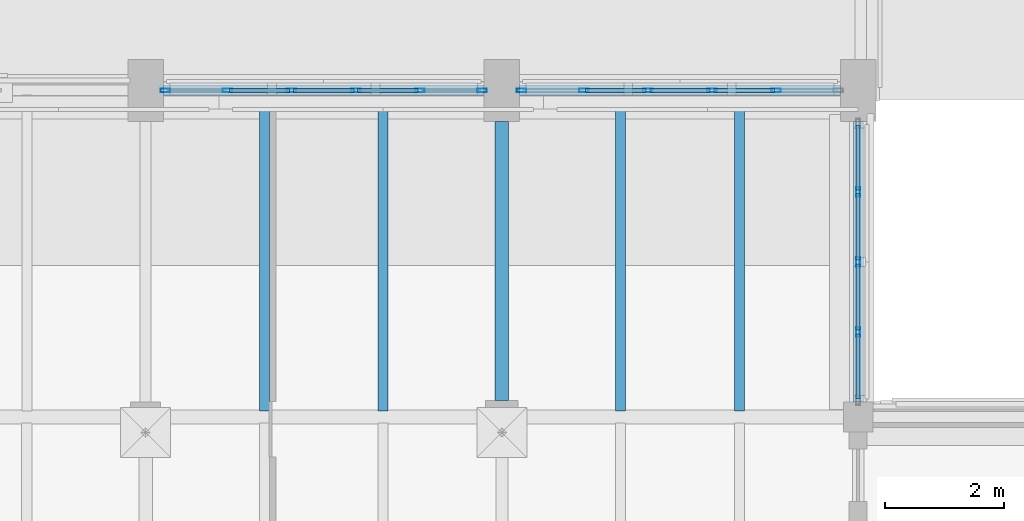
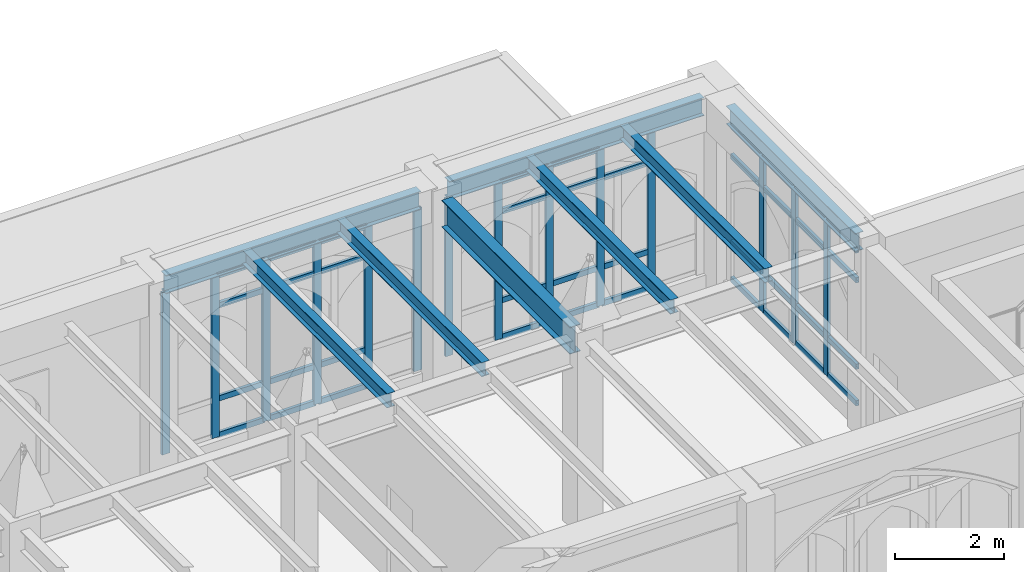
# One storey, part 67 of 143: 53 members, 8 beams, 3 elements without a shape of their own.
"""IFC4 building model written with IfcOpenShell, lengths in metres."""

from ifc_helpers import new_model, si_unit, direction, frame, origin, origin_2d, place, context, subcontext, project, spatial, hollow_rectangle, i_section, extrude, material, layer, layer_set, material_profile, profile_set, type_object, element, aggregate, save


model = new_model("IFC4")

# Units and contexts
model_context = context("Model", 3, precision=1e-05, world=origin(), true_north=direction((0.0, 1.0)))
body_context = subcontext(model_context, "Body", "Model", "MODEL_VIEW")
ifc_project = project(units=[si_unit("LENGTHUNIT", "METRE"), si_unit("AREAUNIT", "SQUARE_METRE"), si_unit("VOLUMEUNIT", "CUBIC_METRE"), si_unit("PLANEANGLEUNIT", "RADIAN"), si_unit("MASSUNIT", "GRAM", prefix="KILO")], contexts=[model_context])

# Site, building, storey
site_placement = place(None, origin())
site = spatial("IfcSite", under=ifc_project, at=site_placement, CompositionType="ELEMENT")
building_placement = place(site_placement, origin())
building = spatial("IfcBuilding", under=site, at=building_placement, Name="Cumevento Cable Car Station", CompositionType="ELEMENT")
storey_placement = place(building_placement, frame((0.0, 0.0, 9.0)))
storey = spatial("IfcBuildingStorey", under=building, at=storey_placement, Name="L03", CompositionType="ELEMENT", Elevation=9.0)

# Curtain wall, members
ifc_material_1 = material(Name="Anodised Bronze Aluminium AW-6063-T6", Category="aluminium")
ifc_layer_1 = layer(ifc_material_1, 0.166015625)
ifc_layer_set_1 = layer_set([ifc_layer_1], Name="Anodised Bronze Aluminium AW-6063-T6")
curtain_wall_type_1 = type_object("IfcCurtainWallType", Name="Lancet Curtain Wall CW-02 1090", PredefinedType="NOTDEFINED", material=ifc_layer_set_1)
curtain_wall_1_placement = place(storey_placement, origin())
curtain_wall_1 = element("IfcCurtainWall", 1, at=curtain_wall_1_placement, inside=storey, type_object=curtain_wall_type_1, Name="Lancet Curtain Wall CW-02 L03 #113", PredefinedType="NOTDEFINED")
ifc_material_2 = material(Name="Anodised Bronze Aluminium AW-6063-T6", Category="aluminium")
ifc_material_profile_1 = material_profile(ifc_material_2, hollow_rectangle(XDim=0.06494140625, YDim=0.159912109375, WallThickness=0.00390625, at=origin_2d()), Name="ALUM65x160x4")
ifc_profile_set_1 = profile_set([ifc_material_profile_1], Name="Anodised Bronze Aluminium AW-6063-T6")
member_type_1 = type_object("IfcMemberType", Name="Curtain Mullion CWM-01 ALUM65x160x4", PredefinedType="MULLION", material=ifc_profile_set_1)
member_1_placement = place(storey_placement, frame((106.33251953125, 56.5, 0.2099609375), z_axis=(0.0, 0.0, 1.0), x_axis=(0.0, 1.0, 0.0)))
member_1 = element("IfcMember", 2, at=member_1_placement, type_object=member_type_1, Name="CW-02 mullion 1", PredefinedType="MULLION", context=body_context, shape_type="SweptSolid", body=[
    extrude(hollow_rectangle(XDim=0.06494140625, YDim=0.159912109375, WallThickness=0.00390625, at=origin_2d()), origin(), (0.0, 0.0, 1.0), 3.635009765625),
])
member_2_placement = place(storey_placement, frame((107.3798828125, 56.5, 0.2099609375), z_axis=(0.0, 0.0, 1.0), x_axis=(0.0, 1.0, 0.0)))
member_2 = element("IfcMember", 3, at=member_2_placement, type_object=member_type_1, Name="CW-02 mullion 2", PredefinedType="MULLION", context=body_context, shape_type="SweptSolid", body=[
    extrude(hollow_rectangle(XDim=0.06494140625, YDim=0.159912109375, WallThickness=0.00390625, at=origin_2d()), origin(), (0.0, 0.0, 1.0), 3.635009765625),
])
member_3_placement = place(storey_placement, frame((108.4599609375, 56.5, 0.2099609375), z_axis=(0.0, 0.0, 1.0), x_axis=(0.0, 1.0, 0.0)))
member_3 = element("IfcMember", 4, at=member_3_placement, type_object=member_type_1, Name="CW-02 mullion 3", PredefinedType="MULLION", context=body_context, shape_type="SweptSolid", body=[
    extrude(hollow_rectangle(XDim=0.06494140625, YDim=0.159912109375, WallThickness=0.00390625, at=origin_2d()), origin(), (0.0, 0.0, 1.0), 3.635009765625),
])
member_4_placement = place(storey_placement, frame((109.5400390625, 56.5, 0.2099609375), z_axis=(0.0, 0.0, 1.0), x_axis=(0.0, 1.0, 0.0)))
member_4 = element("IfcMember", 5, at=member_4_placement, type_object=member_type_1, Name="CW-02 mullion 4", PredefinedType="MULLION", context=body_context, shape_type="SweptSolid", body=[
    extrude(hollow_rectangle(XDim=0.06494140625, YDim=0.159912109375, WallThickness=0.00390625, at=origin_2d()), origin(), (0.0, 0.0, 1.0), 3.635009765625),
])
member_5_placement = place(storey_placement, frame((110.6201171875, 56.5, 0.2099609375), z_axis=(0.0, 0.0, 1.0), x_axis=(0.0, 1.0, 0.0)))
member_5 = element("IfcMember", 6, at=member_5_placement, type_object=member_type_1, Name="CW-02 mullion 5", PredefinedType="MULLION", context=body_context, shape_type="SweptSolid", body=[
    extrude(hollow_rectangle(XDim=0.06494140625, YDim=0.159912109375, WallThickness=0.00390625, at=origin_2d()), origin(), (0.0, 0.0, 1.0), 3.635009765625),
])
member_6_placement = place(storey_placement, frame((111.66748046875, 56.5, 0.2099609375), z_axis=(0.0, 0.0, 1.0), x_axis=(0.0, 1.0, 0.0)))
member_6 = element("IfcMember", 7, at=member_6_placement, type_object=member_type_1, Name="CW-02 mullion 6", PredefinedType="MULLION", context=body_context, shape_type="SweptSolid", body=[
    extrude(hollow_rectangle(XDim=0.06494140625, YDim=0.159912109375, WallThickness=0.00390625, at=origin_2d()), origin(), (0.0, 0.0, 1.0), 3.635009765625),
])

ifc_material_3 = material(Name="Anodised Bronze Aluminium AW-6063-T6", Category="aluminium")
ifc_layer_2 = layer(ifc_material_3, 0.177978515625)
ifc_layer_set_2 = layer_set([ifc_layer_2], Name="Anodised Bronze Aluminium AW-6063-T6")
curtain_wall_type_2 = type_object("IfcCurtainWallType", Name="Lancet Curtain Wall CW-04 1170", PredefinedType="NOTDEFINED", material=ifc_layer_set_2)
curtain_wall_2_placement = place(storey_placement, origin())
curtain_wall_2 = element("IfcCurtainWall", 8, at=curtain_wall_2_placement, inside=storey, type_object=curtain_wall_type_2, Name="Lancet Curtain Wall CW-04 L03 #115", PredefinedType="NOTDEFINED")
member_7_placement = place(storey_placement, frame((112.33251953125, 56.5, 0.31005859375), z_axis=(0.0, 0.0, 1.0), x_axis=(0.0, 1.0, 0.0)))
member_7 = element("IfcMember", 9, at=member_7_placement, type_object=member_type_1, Name="CW-04 mullion 1", PredefinedType="MULLION", context=body_context, shape_type="SweptSolid", body=[
    extrude(hollow_rectangle(XDim=0.06494140625, YDim=0.159912109375, WallThickness=0.00390625, at=origin_2d()), origin(), (0.0, 0.0, 1.0), 3.534912109375),
])
member_8_placement = place(storey_placement, frame((113.3798828125, 56.5, 0.31005859375), z_axis=(0.0, 0.0, 1.0), x_axis=(0.0, 1.0, 0.0)))
member_8 = element("IfcMember", 10, at=member_8_placement, type_object=member_type_1, Name="CW-04 mullion 2", PredefinedType="MULLION", context=body_context, shape_type="SweptSolid", body=[
    extrude(hollow_rectangle(XDim=0.06494140625, YDim=0.159912109375, WallThickness=0.00390625, at=origin_2d()), origin(), (0.0, 0.0, 1.0), 3.534912109375),
])
member_9_placement = place(storey_placement, frame((114.4599609375, 56.5, 0.31005859375), z_axis=(0.0, 0.0, 1.0), x_axis=(0.0, 1.0, 0.0)))
member_9 = element("IfcMember", 11, at=member_9_placement, type_object=member_type_1, Name="CW-04 mullion 3", PredefinedType="MULLION", context=body_context, shape_type="SweptSolid", body=[
    extrude(hollow_rectangle(XDim=0.06494140625, YDim=0.159912109375, WallThickness=0.00390625, at=origin_2d()), origin(), (0.0, 0.0, 1.0), 3.534912109375),
])
member_10_placement = place(storey_placement, frame((115.5400390625, 56.5, 0.31005859375), z_axis=(0.0, 0.0, 1.0), x_axis=(0.0, 1.0, 0.0)))
member_10 = element("IfcMember", 12, at=member_10_placement, type_object=member_type_1, Name="CW-04 mullion 4", PredefinedType="MULLION", context=body_context, shape_type="SweptSolid", body=[
    extrude(hollow_rectangle(XDim=0.06494140625, YDim=0.159912109375, WallThickness=0.00390625, at=origin_2d()), origin(), (0.0, 0.0, 1.0), 3.534912109375),
])
member_11_placement = place(storey_placement, frame((116.6201171875, 56.5, 0.31005859375), z_axis=(0.0, 0.0, 1.0), x_axis=(0.0, 1.0, 0.0)))
member_11 = element("IfcMember", 13, at=member_11_placement, type_object=member_type_1, Name="CW-04 mullion 5", PredefinedType="MULLION", context=body_context, shape_type="SweptSolid", body=[
    extrude(hollow_rectangle(XDim=0.06494140625, YDim=0.159912109375, WallThickness=0.00390625, at=origin_2d()), origin(), (0.0, 0.0, 1.0), 3.534912109375),
])

ifc_material_4 = material(Name="Anodised Bronze Aluminium AW-6063-T6", Category="aluminium")
ifc_layer_3 = layer(ifc_material_4, 0.18408203125)
ifc_layer_set_3 = layer_set([ifc_layer_3], Name="Anodised Bronze Aluminium AW-6063-T6")
curtain_wall_type_3 = type_object("IfcCurtainWallType", Name="Lancet Curtain Wall CW-05 1210", PredefinedType="NOTDEFINED", material=ifc_layer_set_3)
curtain_wall_3_placement = place(storey_placement, origin())
curtain_wall_3 = element("IfcCurtainWall", 14, at=curtain_wall_3_placement, inside=storey, type_object=curtain_wall_type_3, Name="Lancet Curtain Wall CW-05 L03 #116", PredefinedType="NOTDEFINED")
member_12_placement = place(storey_placement, frame((118.0, 54.793701171875, 0.360107421875), z_axis=(0.0, 0.0, 1.0), x_axis=(1.0, 0.0, 0.0)))
member_12 = element("IfcMember", 15, at=member_12_placement, type_object=member_type_1, Name="CW-05 mullion 2", PredefinedType="MULLION", context=body_context, shape_type="SweptSolid", body=[
    extrude(hollow_rectangle(XDim=0.06494140625, YDim=0.159912109375, WallThickness=0.00390625, at=origin_2d()), origin(), (0.0, 0.0, 1.0), 3.48486328125),
])
member_13_placement = place(storey_placement, frame((118.0, 53.612548828125, 0.360107421875), z_axis=(0.0, 0.0, 1.0), x_axis=(1.0, 0.0, 0.0)))
member_13 = element("IfcMember", 16, at=member_13_placement, type_object=member_type_1, Name="CW-05 mullion 3", PredefinedType="MULLION", context=body_context, shape_type="SweptSolid", body=[
    extrude(hollow_rectangle(XDim=0.06494140625, YDim=0.159912109375, WallThickness=0.00390625, at=origin_2d()), origin(), (0.0, 0.0, 1.0), 3.48486328125),
])
member_14_placement = place(storey_placement, frame((118.0, 52.43115234375, 0.360107421875), z_axis=(0.0, 0.0, 1.0), x_axis=(1.0, 0.0, 0.0)))
member_14 = element("IfcMember", 17, at=member_14_placement, type_object=member_type_1, Name="CW-05 mullion 4", PredefinedType="MULLION", context=body_context, shape_type="SweptSolid", body=[
    extrude(hollow_rectangle(XDim=0.06494140625, YDim=0.159912109375, WallThickness=0.00390625, at=origin_2d()), origin(), (0.0, 0.0, 1.0), 3.48486328125),
])

# Member
ifc_material_5 = material(Name="Anodised Bronze Aluminium AW-6063-T6", Category="aluminium")
ifc_material_profile_2 = material_profile(ifc_material_5, hollow_rectangle(XDim=0.06494140625, YDim=0.1201171875, WallThickness=0.00390625, at=origin_2d()), Name="ALUT65x120x4")
ifc_profile_set_2 = profile_set([ifc_material_profile_2], Name="Anodised Bronze Aluminium AW-6063-T6")
member_type_2 = type_object("IfcMemberType", Name="Curtain Transom CWT-01 ALUT65x120x4", PredefinedType="USERDEFINED", material=ifc_profile_set_2)
member_15_placement = place(storey_placement, frame((107.41259765625, 56.5, 0.242431640625), z_axis=(1.0, 0.0, 0.0), x_axis=(0.0, 1.0, 0.0)))
member_15 = element("IfcMember", 18, at=member_15_placement, type_object=member_type_2, Name="CW-02 transom 2.1", ObjectType="TRANSOM", PredefinedType="USERDEFINED", context=body_context, shape_type="SweptSolid", body=[
    extrude(hollow_rectangle(XDim=0.06494140625, YDim=0.1201171875, WallThickness=0.00390625, at=origin_2d()), origin(), (0.0, 0.0, 1.0), 1.014892578125),
])

member_16_placement = place(storey_placement, frame((107.41259765625, 56.5, 1.06005859375), z_axis=(1.0, 0.0, 0.0), x_axis=(0.0, 1.0, 0.0)))
member_16 = element("IfcMember", 19, at=member_16_placement, type_object=member_type_2, Name="CW-02 transom 2.2", ObjectType="TRANSOM", PredefinedType="USERDEFINED", context=body_context, shape_type="SweptSolid", body=[
    extrude(hollow_rectangle(XDim=0.06494140625, YDim=0.1201171875, WallThickness=0.00390625, at=origin_2d()), origin(), (0.0, 0.0, 1.0), 1.014892578125),
])

member_17_placement = place(storey_placement, frame((107.41259765625, 56.5, 3.14501953125), z_axis=(1.0, 0.0, 0.0), x_axis=(0.0, 1.0, 0.0)))
member_17 = element("IfcMember", 20, at=member_17_placement, type_object=member_type_2, Name="CW-02 transom 2.3", ObjectType="TRANSOM", PredefinedType="USERDEFINED", context=body_context, shape_type="SweptSolid", body=[
    extrude(hollow_rectangle(XDim=0.06494140625, YDim=0.1201171875, WallThickness=0.00390625, at=origin_2d()), origin(), (0.0, 0.0, 1.0), 1.014892578125),
])

member_18_placement = place(storey_placement, frame((107.41259765625, 56.5, 3.8125), z_axis=(1.0, 0.0, 0.0), x_axis=(0.0, 1.0, 0.0)))
member_18 = element("IfcMember", 21, at=member_18_placement, type_object=member_type_2, Name="CW-02 transom 2.4", ObjectType="TRANSOM", PredefinedType="USERDEFINED", context=body_context, shape_type="SweptSolid", body=[
    extrude(hollow_rectangle(XDim=0.06494140625, YDim=0.1201171875, WallThickness=0.00390625, at=origin_2d()), origin(), (0.0, 0.0, 1.0), 1.014892578125),
])

member_19_placement = place(storey_placement, frame((108.492431640625, 56.5, 0.242431640625), z_axis=(1.0, 0.0, 0.0), x_axis=(0.0, 1.0, 0.0)))
member_19 = element("IfcMember", 22, at=member_19_placement, type_object=member_type_2, Name="CW-02 transom 3.1", ObjectType="TRANSOM", PredefinedType="USERDEFINED", context=body_context, shape_type="SweptSolid", body=[
    extrude(hollow_rectangle(XDim=0.06494140625, YDim=0.1201171875, WallThickness=0.00390625, at=origin_2d()), origin(), (0.0, 0.0, 1.0), 1.01513671875),
])

member_20_placement = place(storey_placement, frame((108.492431640625, 56.5, 1.06005859375), z_axis=(1.0, 0.0, 0.0), x_axis=(0.0, 1.0, 0.0)))
member_20 = element("IfcMember", 23, at=member_20_placement, type_object=member_type_2, Name="CW-02 transom 3.2", ObjectType="TRANSOM", PredefinedType="USERDEFINED", context=body_context, shape_type="SweptSolid", body=[
    extrude(hollow_rectangle(XDim=0.06494140625, YDim=0.1201171875, WallThickness=0.00390625, at=origin_2d()), origin(), (0.0, 0.0, 1.0), 1.01513671875),
])

member_21_placement = place(storey_placement, frame((108.492431640625, 56.5, 3.14501953125), z_axis=(1.0, 0.0, 0.0), x_axis=(0.0, 1.0, 0.0)))
member_21 = element("IfcMember", 24, at=member_21_placement, type_object=member_type_2, Name="CW-02 transom 3.3", ObjectType="TRANSOM", PredefinedType="USERDEFINED", context=body_context, shape_type="SweptSolid", body=[
    extrude(hollow_rectangle(XDim=0.06494140625, YDim=0.1201171875, WallThickness=0.00390625, at=origin_2d()), origin(), (0.0, 0.0, 1.0), 1.01513671875),
])

member_22_placement = place(storey_placement, frame((108.492431640625, 56.5, 3.8125), z_axis=(1.0, 0.0, 0.0), x_axis=(0.0, 1.0, 0.0)))
member_22 = element("IfcMember", 25, at=member_22_placement, type_object=member_type_2, Name="CW-02 transom 3.4", ObjectType="TRANSOM", PredefinedType="USERDEFINED", context=body_context, shape_type="SweptSolid", body=[
    extrude(hollow_rectangle(XDim=0.06494140625, YDim=0.1201171875, WallThickness=0.00390625, at=origin_2d()), origin(), (0.0, 0.0, 1.0), 1.01513671875),
])

member_23_placement = place(storey_placement, frame((109.572509765625, 56.5, 0.242431640625), z_axis=(1.0, 0.0, 0.0), x_axis=(0.0, 1.0, 0.0)))
member_23 = element("IfcMember", 26, at=member_23_placement, type_object=member_type_2, Name="CW-02 transom 4.1", ObjectType="TRANSOM", PredefinedType="USERDEFINED", context=body_context, shape_type="SweptSolid", body=[
    extrude(hollow_rectangle(XDim=0.06494140625, YDim=0.1201171875, WallThickness=0.00390625, at=origin_2d()), origin(), (0.0, 0.0, 1.0), 1.014892578125),
])

member_24_placement = place(storey_placement, frame((109.572509765625, 56.5, 1.06005859375), z_axis=(1.0, 0.0, 0.0), x_axis=(0.0, 1.0, 0.0)))
member_24 = element("IfcMember", 27, at=member_24_placement, type_object=member_type_2, Name="CW-02 transom 4.2", ObjectType="TRANSOM", PredefinedType="USERDEFINED", context=body_context, shape_type="SweptSolid", body=[
    extrude(hollow_rectangle(XDim=0.06494140625, YDim=0.1201171875, WallThickness=0.00390625, at=origin_2d()), origin(), (0.0, 0.0, 1.0), 1.014892578125),
])

member_25_placement = place(storey_placement, frame((109.572509765625, 56.5, 3.14501953125), z_axis=(1.0, 0.0, 0.0), x_axis=(0.0, 1.0, 0.0)))
member_25 = element("IfcMember", 28, at=member_25_placement, type_object=member_type_2, Name="CW-02 transom 4.3", ObjectType="TRANSOM", PredefinedType="USERDEFINED", context=body_context, shape_type="SweptSolid", body=[
    extrude(hollow_rectangle(XDim=0.06494140625, YDim=0.1201171875, WallThickness=0.00390625, at=origin_2d()), origin(), (0.0, 0.0, 1.0), 1.014892578125),
])

member_26_placement = place(storey_placement, frame((109.572509765625, 56.5, 3.8125), z_axis=(1.0, 0.0, 0.0), x_axis=(0.0, 1.0, 0.0)))
member_26 = element("IfcMember", 29, at=member_26_placement, type_object=member_type_2, Name="CW-02 transom 4.4", ObjectType="TRANSOM", PredefinedType="USERDEFINED", context=body_context, shape_type="SweptSolid", body=[
    extrude(hollow_rectangle(XDim=0.06494140625, YDim=0.1201171875, WallThickness=0.00390625, at=origin_2d()), origin(), (0.0, 0.0, 1.0), 1.014892578125),
])

aggregate(curtain_wall_1, [member_1, member_2, member_3, member_4, member_5, member_6, member_15, member_16, member_17, member_18, member_19, member_20, member_21, member_22, member_23, member_24, member_25, member_26])

member_27_placement = place(storey_placement, frame((113.41259765625, 56.5, 0.342529296875), z_axis=(1.0, 0.0, 0.0), x_axis=(0.0, 1.0, 0.0)))
member_27 = element("IfcMember", 30, at=member_27_placement, type_object=member_type_2, Name="CW-04 transom 2.1", ObjectType="TRANSOM", PredefinedType="USERDEFINED", context=body_context, shape_type="SweptSolid", body=[
    extrude(hollow_rectangle(XDim=0.06494140625, YDim=0.1201171875, WallThickness=0.00390625, at=origin_2d()), origin(), (0.0, 0.0, 1.0), 1.014892578125),
])

member_28_placement = place(storey_placement, frame((113.41259765625, 56.5, 1.159912109375), z_axis=(1.0, 0.0, 0.0), x_axis=(0.0, 1.0, 0.0)))
member_28 = element("IfcMember", 31, at=member_28_placement, type_object=member_type_2, Name="CW-04 transom 2.2", ObjectType="TRANSOM", PredefinedType="USERDEFINED", context=body_context, shape_type="SweptSolid", body=[
    extrude(hollow_rectangle(XDim=0.06494140625, YDim=0.1201171875, WallThickness=0.00390625, at=origin_2d()), origin(), (0.0, 0.0, 1.0), 1.014892578125),
])

member_29_placement = place(storey_placement, frame((113.41259765625, 56.5, 3.14501953125), z_axis=(1.0, 0.0, 0.0), x_axis=(0.0, 1.0, 0.0)))
member_29 = element("IfcMember", 32, at=member_29_placement, type_object=member_type_2, Name="CW-04 transom 2.3", ObjectType="TRANSOM", PredefinedType="USERDEFINED", context=body_context, shape_type="SweptSolid", body=[
    extrude(hollow_rectangle(XDim=0.06494140625, YDim=0.1201171875, WallThickness=0.00390625, at=origin_2d()), origin(), (0.0, 0.0, 1.0), 1.014892578125),
])

member_30_placement = place(storey_placement, frame((113.41259765625, 56.5, 3.8125), z_axis=(1.0, 0.0, 0.0), x_axis=(0.0, 1.0, 0.0)))
member_30 = element("IfcMember", 33, at=member_30_placement, type_object=member_type_2, Name="CW-04 transom 2.4", ObjectType="TRANSOM", PredefinedType="USERDEFINED", context=body_context, shape_type="SweptSolid", body=[
    extrude(hollow_rectangle(XDim=0.06494140625, YDim=0.1201171875, WallThickness=0.00390625, at=origin_2d()), origin(), (0.0, 0.0, 1.0), 1.014892578125),
])

member_31_placement = place(storey_placement, frame((114.492431640625, 56.5, 0.342529296875), z_axis=(1.0, 0.0, 0.0), x_axis=(0.0, 1.0, 0.0)))
member_31 = element("IfcMember", 34, at=member_31_placement, type_object=member_type_2, Name="CW-04 transom 3.1", ObjectType="TRANSOM", PredefinedType="USERDEFINED", context=body_context, shape_type="SweptSolid", body=[
    extrude(hollow_rectangle(XDim=0.06494140625, YDim=0.1201171875, WallThickness=0.00390625, at=origin_2d()), origin(), (0.0, 0.0, 1.0), 1.01513671875),
])

member_32_placement = place(storey_placement, frame((114.492431640625, 56.5, 1.159912109375), z_axis=(1.0, 0.0, 0.0), x_axis=(0.0, 1.0, 0.0)))
member_32 = element("IfcMember", 35, at=member_32_placement, type_object=member_type_2, Name="CW-04 transom 3.2", ObjectType="TRANSOM", PredefinedType="USERDEFINED", context=body_context, shape_type="SweptSolid", body=[
    extrude(hollow_rectangle(XDim=0.06494140625, YDim=0.1201171875, WallThickness=0.00390625, at=origin_2d()), origin(), (0.0, 0.0, 1.0), 1.01513671875),
])

member_33_placement = place(storey_placement, frame((114.492431640625, 56.5, 3.14501953125), z_axis=(1.0, 0.0, 0.0), x_axis=(0.0, 1.0, 0.0)))
member_33 = element("IfcMember", 36, at=member_33_placement, type_object=member_type_2, Name="CW-04 transom 3.3", ObjectType="TRANSOM", PredefinedType="USERDEFINED", context=body_context, shape_type="SweptSolid", body=[
    extrude(hollow_rectangle(XDim=0.06494140625, YDim=0.1201171875, WallThickness=0.00390625, at=origin_2d()), origin(), (0.0, 0.0, 1.0), 1.01513671875),
])

member_34_placement = place(storey_placement, frame((114.492431640625, 56.5, 3.8125), z_axis=(1.0, 0.0, 0.0), x_axis=(0.0, 1.0, 0.0)))
member_34 = element("IfcMember", 37, at=member_34_placement, type_object=member_type_2, Name="CW-04 transom 3.4", ObjectType="TRANSOM", PredefinedType="USERDEFINED", context=body_context, shape_type="SweptSolid", body=[
    extrude(hollow_rectangle(XDim=0.06494140625, YDim=0.1201171875, WallThickness=0.00390625, at=origin_2d()), origin(), (0.0, 0.0, 1.0), 1.01513671875),
])

member_35_placement = place(storey_placement, frame((115.572509765625, 56.5, 0.342529296875), z_axis=(1.0, 0.0, 0.0), x_axis=(0.0, 1.0, 0.0)))
member_35 = element("IfcMember", 38, at=member_35_placement, type_object=member_type_2, Name="CW-04 transom 4.1", ObjectType="TRANSOM", PredefinedType="USERDEFINED", context=body_context, shape_type="SweptSolid", body=[
    extrude(hollow_rectangle(XDim=0.06494140625, YDim=0.1201171875, WallThickness=0.00390625, at=origin_2d()), origin(), (0.0, 0.0, 1.0), 1.014892578125),
])

member_36_placement = place(storey_placement, frame((115.572509765625, 56.5, 1.159912109375), z_axis=(1.0, 0.0, 0.0), x_axis=(0.0, 1.0, 0.0)))
member_36 = element("IfcMember", 39, at=member_36_placement, type_object=member_type_2, Name="CW-04 transom 4.2", ObjectType="TRANSOM", PredefinedType="USERDEFINED", context=body_context, shape_type="SweptSolid", body=[
    extrude(hollow_rectangle(XDim=0.06494140625, YDim=0.1201171875, WallThickness=0.00390625, at=origin_2d()), origin(), (0.0, 0.0, 1.0), 1.014892578125),
])

member_37_placement = place(storey_placement, frame((115.572509765625, 56.5, 3.14501953125), z_axis=(1.0, 0.0, 0.0), x_axis=(0.0, 1.0, 0.0)))
member_37 = element("IfcMember", 40, at=member_37_placement, type_object=member_type_2, Name="CW-04 transom 4.3", ObjectType="TRANSOM", PredefinedType="USERDEFINED", context=body_context, shape_type="SweptSolid", body=[
    extrude(hollow_rectangle(XDim=0.06494140625, YDim=0.1201171875, WallThickness=0.00390625, at=origin_2d()), origin(), (0.0, 0.0, 1.0), 1.014892578125),
])

aggregate(curtain_wall_2, [member_7, member_8, member_9, member_10, member_11, member_27, member_28, member_29, member_30, member_31, member_32, member_33, member_34, member_35, member_36, member_37])

member_38_placement = place(storey_placement, frame((118.0, 55.909912109375, 0.392578125), z_axis=(0.0, -1.0, 0.0), x_axis=(1.0, 0.0, 0.0)))
member_38 = element("IfcMember", 41, at=member_38_placement, type_object=member_type_2, Name="CW-05 transom 1.1", ObjectType="TRANSOM", PredefinedType="USERDEFINED", context=body_context, shape_type="SweptSolid", body=[
    extrude(hollow_rectangle(XDim=0.06494140625, YDim=0.1201171875, WallThickness=0.00390625, at=origin_2d()), origin(), (0.0, 0.0, 1.0), 1.083740234375),
])

member_39_placement = place(storey_placement, frame((118.0, 55.909912109375, 1.2099609375), z_axis=(0.0, -1.0, 0.0), x_axis=(1.0, 0.0, 0.0)))
member_39 = element("IfcMember", 42, at=member_39_placement, type_object=member_type_2, Name="CW-05 transom 1.2", ObjectType="TRANSOM", PredefinedType="USERDEFINED", context=body_context, shape_type="SweptSolid", body=[
    extrude(hollow_rectangle(XDim=0.06494140625, YDim=0.1201171875, WallThickness=0.00390625, at=origin_2d()), origin(), (0.0, 0.0, 1.0), 1.083740234375),
])

member_40_placement = place(storey_placement, frame((118.0, 55.909912109375, 3.14501953125), z_axis=(0.0, -1.0, 0.0), x_axis=(1.0, 0.0, 0.0)))
member_40 = element("IfcMember", 43, at=member_40_placement, type_object=member_type_2, Name="CW-05 transom 1.3", ObjectType="TRANSOM", PredefinedType="USERDEFINED", context=body_context, shape_type="SweptSolid", body=[
    extrude(hollow_rectangle(XDim=0.06494140625, YDim=0.1201171875, WallThickness=0.00390625, at=origin_2d()), origin(), (0.0, 0.0, 1.0), 1.083740234375),
])

member_41_placement = place(storey_placement, frame((118.0, 55.909912109375, 3.8125), z_axis=(0.0, -1.0, 0.0), x_axis=(1.0, 0.0, 0.0)))
member_41 = element("IfcMember", 44, at=member_41_placement, type_object=member_type_2, Name="CW-05 transom 1.4", ObjectType="TRANSOM", PredefinedType="USERDEFINED", context=body_context, shape_type="SweptSolid", body=[
    extrude(hollow_rectangle(XDim=0.06494140625, YDim=0.1201171875, WallThickness=0.00390625, at=origin_2d()), origin(), (0.0, 0.0, 1.0), 1.083740234375),
])

member_42_placement = place(storey_placement, frame((118.0, 54.76123046875, 0.392578125), z_axis=(0.0, -1.0, 0.0), x_axis=(1.0, 0.0, 0.0)))
member_42 = element("IfcMember", 45, at=member_42_placement, type_object=member_type_2, Name="CW-05 transom 2.1", ObjectType="TRANSOM", PredefinedType="USERDEFINED", context=body_context, shape_type="SweptSolid", body=[
    extrude(hollow_rectangle(XDim=0.06494140625, YDim=0.1201171875, WallThickness=0.00390625, at=origin_2d()), origin(), (0.0, 0.0, 1.0), 1.1162109375),
])

member_43_placement = place(storey_placement, frame((118.0, 54.76123046875, 1.2099609375), z_axis=(0.0, -1.0, 0.0), x_axis=(1.0, 0.0, 0.0)))
member_43 = element("IfcMember", 46, at=member_43_placement, type_object=member_type_2, Name="CW-05 transom 2.2", ObjectType="TRANSOM", PredefinedType="USERDEFINED", context=body_context, shape_type="SweptSolid", body=[
    extrude(hollow_rectangle(XDim=0.06494140625, YDim=0.1201171875, WallThickness=0.00390625, at=origin_2d()), origin(), (0.0, 0.0, 1.0), 1.1162109375),
])

member_44_placement = place(storey_placement, frame((118.0, 54.76123046875, 3.14501953125), z_axis=(0.0, -1.0, 0.0), x_axis=(1.0, 0.0, 0.0)))
member_44 = element("IfcMember", 47, at=member_44_placement, type_object=member_type_2, Name="CW-05 transom 2.3", ObjectType="TRANSOM", PredefinedType="USERDEFINED", context=body_context, shape_type="SweptSolid", body=[
    extrude(hollow_rectangle(XDim=0.06494140625, YDim=0.1201171875, WallThickness=0.00390625, at=origin_2d()), origin(), (0.0, 0.0, 1.0), 1.1162109375),
])

member_45_placement = place(storey_placement, frame((118.0, 54.76123046875, 3.8125), z_axis=(0.0, -1.0, 0.0), x_axis=(1.0, 0.0, 0.0)))
member_45 = element("IfcMember", 48, at=member_45_placement, type_object=member_type_2, Name="CW-05 transom 2.4", ObjectType="TRANSOM", PredefinedType="USERDEFINED", context=body_context, shape_type="SweptSolid", body=[
    extrude(hollow_rectangle(XDim=0.06494140625, YDim=0.1201171875, WallThickness=0.00390625, at=origin_2d()), origin(), (0.0, 0.0, 1.0), 1.1162109375),
])

member_46_placement = place(storey_placement, frame((118.0, 53.580078125, 0.392578125), z_axis=(0.0, -1.0, 0.0), x_axis=(1.0, 0.0, 0.0)))
member_46 = element("IfcMember", 49, at=member_46_placement, type_object=member_type_2, Name="CW-05 transom 3.1", ObjectType="TRANSOM", PredefinedType="USERDEFINED", context=body_context, shape_type="SweptSolid", body=[
    extrude(hollow_rectangle(XDim=0.06494140625, YDim=0.1201171875, WallThickness=0.00390625, at=origin_2d()), origin(), (0.0, 0.0, 1.0), 1.1162109375),
])

member_47_placement = place(storey_placement, frame((118.0, 53.580078125, 1.2099609375), z_axis=(0.0, -1.0, 0.0), x_axis=(1.0, 0.0, 0.0)))
member_47 = element("IfcMember", 50, at=member_47_placement, type_object=member_type_2, Name="CW-05 transom 3.2", ObjectType="TRANSOM", PredefinedType="USERDEFINED", context=body_context, shape_type="SweptSolid", body=[
    extrude(hollow_rectangle(XDim=0.06494140625, YDim=0.1201171875, WallThickness=0.00390625, at=origin_2d()), origin(), (0.0, 0.0, 1.0), 1.1162109375),
])

member_48_placement = place(storey_placement, frame((118.0, 53.580078125, 3.14501953125), z_axis=(0.0, -1.0, 0.0), x_axis=(1.0, 0.0, 0.0)))
member_48 = element("IfcMember", 51, at=member_48_placement, type_object=member_type_2, Name="CW-05 transom 3.3", ObjectType="TRANSOM", PredefinedType="USERDEFINED", context=body_context, shape_type="SweptSolid", body=[
    extrude(hollow_rectangle(XDim=0.06494140625, YDim=0.1201171875, WallThickness=0.00390625, at=origin_2d()), origin(), (0.0, 0.0, 1.0), 1.1162109375),
])

member_49_placement = place(storey_placement, frame((118.0, 53.580078125, 3.8125), z_axis=(0.0, -1.0, 0.0), x_axis=(1.0, 0.0, 0.0)))
member_49 = element("IfcMember", 52, at=member_49_placement, type_object=member_type_2, Name="CW-05 transom 3.4", ObjectType="TRANSOM", PredefinedType="USERDEFINED", context=body_context, shape_type="SweptSolid", body=[
    extrude(hollow_rectangle(XDim=0.06494140625, YDim=0.1201171875, WallThickness=0.00390625, at=origin_2d()), origin(), (0.0, 0.0, 1.0), 1.1162109375),
])

member_50_placement = place(storey_placement, frame((118.0, 52.398681640625, 0.392578125), z_axis=(0.0, -1.0, 0.0), x_axis=(1.0, 0.0, 0.0)))
member_50 = element("IfcMember", 53, at=member_50_placement, type_object=member_type_2, Name="CW-05 transom 4.1", ObjectType="TRANSOM", PredefinedType="USERDEFINED", context=body_context, shape_type="SweptSolid", body=[
    extrude(hollow_rectangle(XDim=0.06494140625, YDim=0.1201171875, WallThickness=0.00390625, at=origin_2d()), origin(), (0.0, 0.0, 1.0), 1.083740234375),
])

member_51_placement = place(storey_placement, frame((118.0, 52.398681640625, 1.2099609375), z_axis=(0.0, -1.0, 0.0), x_axis=(1.0, 0.0, 0.0)))
member_51 = element("IfcMember", 54, at=member_51_placement, type_object=member_type_2, Name="CW-05 transom 4.2", ObjectType="TRANSOM", PredefinedType="USERDEFINED", context=body_context, shape_type="SweptSolid", body=[
    extrude(hollow_rectangle(XDim=0.06494140625, YDim=0.1201171875, WallThickness=0.00390625, at=origin_2d()), origin(), (0.0, 0.0, 1.0), 1.083740234375),
])

member_52_placement = place(storey_placement, frame((118.0, 52.398681640625, 3.14501953125), z_axis=(0.0, -1.0, 0.0), x_axis=(1.0, 0.0, 0.0)))
member_52 = element("IfcMember", 55, at=member_52_placement, type_object=member_type_2, Name="CW-05 transom 4.3", ObjectType="TRANSOM", PredefinedType="USERDEFINED", context=body_context, shape_type="SweptSolid", body=[
    extrude(hollow_rectangle(XDim=0.06494140625, YDim=0.1201171875, WallThickness=0.00390625, at=origin_2d()), origin(), (0.0, 0.0, 1.0), 1.083740234375),
])

member_53_placement = place(storey_placement, frame((118.0, 52.398681640625, 3.8125), z_axis=(0.0, -1.0, 0.0), x_axis=(1.0, 0.0, 0.0)))
member_53 = element("IfcMember", 56, at=member_53_placement, type_object=member_type_2, Name="CW-05 transom 4.4", ObjectType="TRANSOM", PredefinedType="USERDEFINED", context=body_context, shape_type="SweptSolid", body=[
    extrude(hollow_rectangle(XDim=0.06494140625, YDim=0.1201171875, WallThickness=0.00390625, at=origin_2d()), origin(), (0.0, 0.0, 1.0), 1.083740234375),
])

aggregate(curtain_wall_3, [member_12, member_13, member_14, member_38, member_39, member_40, member_41, member_42, member_43, member_44, member_45, member_46, member_47, member_48, member_49, member_50, member_51, member_52, member_53])

# Beams
ifc_material_6 = material(Name="Steel ASTM A572 Grade 50", Category="steel")
ifc_material_profile_3 = material_profile(ifc_material_6, i_section(OverallWidth=0.22802734375, OverallDepth=0.60791015625, WebThickness=0.01123046875, FlangeThickness=0.017333984375, at=origin_2d()), Name="W610x113.0")
ifc_profile_set_3 = profile_set([ifc_material_profile_3], Name="Steel ASTM A572 Grade 50")
beam_type_1 = type_object("IfcBeamType", Name="Structural Beam BM-02 W610x113.0", PredefinedType="BEAM", material=ifc_profile_set_3)
beam_1_placement = place(storey_placement, frame((112.0, 51.27490234375, 3.947998046875), z_axis=(0.0, 1.0, 0.0), x_axis=(-1.0, 0.0, 0.0)))
element("IfcBeam", 57, at=beam_1_placement, inside=storey, type_object=beam_type_1, Name="Beam BM-02 L03 #1105", PredefinedType="BEAM", context=body_context, shape_type="SweptSolid", body=[
    extrude(i_section(OverallWidth=0.22802734375, OverallDepth=0.60791015625, WebThickness=0.01123046875, FlangeThickness=0.017333984375, at=origin_2d()), origin(), (0.0, 0.0, 1.0), 4.7001953125),
])
ifc_material_7 = material(Name="Steel ASTM A572 Grade 50", Category="steel")
ifc_material_profile_4 = material_profile(ifc_material_7, i_section(OverallWidth=0.1669921875, OverallDepth=0.31689453125, WebThickness=0.007568359375, FlangeThickness=0.01318359375, at=origin_2d()), Name="W310x52.0")
ifc_profile_set_4 = profile_set([ifc_material_profile_4], Name="Steel ASTM A572 Grade 50")
beam_type_2 = type_object("IfcBeamType", Name="Structural Joist JS-02 W310x52.0", PredefinedType="JOIST", material=ifc_profile_set_4)
for number, where, z_axis, x_axis, name in (
    (58, (108.0, 51.10302734375, 4.093505859375), (0.0, 1.0, 0.0), (-1.0, 0.0, 0.0), "Composite Floor Joist JS-02 L03 #1277"),
    (59, (110.0, 51.10302734375, 4.093505859375), (0.0, 1.0, 0.0), (-1.0, 0.0, 0.0), "Composite Floor Joist JS-02 L03 #1279"),
    (60, (114.0, 51.10302734375, 4.093505859375), (0.0, 1.0, 0.0), (-1.0, 0.0, 0.0), "Composite Floor Joist JS-02 L03 #1281"),
    (61, (116.0, 51.10302734375, 4.093505859375), (0.0, 1.0, 0.0), (-1.0, 0.0, 0.0), "Composite Floor Joist JS-02 L03 #1283"),
):
    element("IfcBeam", number, at=place(storey_placement, frame(where, z_axis=z_axis, x_axis=x_axis)), inside=storey, type_object=beam_type_2, Name=name, PredefinedType="JOIST", context=body_context, shape_type="SweptSolid", body=[
        extrude(i_section(OverallWidth=0.1669921875, OverallDepth=0.31689453125, WebThickness=0.007568359375, FlangeThickness=0.01318359375, at=origin_2d()), origin(), (0.0, 0.0, 1.0), 5.320068359375),
    ])
ifc_material_8 = material(Name="Steel ASTM A572 Grade 50", Category="steel")
ifc_material_profile_5 = material_profile(ifc_material_8, i_section(OverallWidth=0.177978515625, OverallDepth=0.406982421875, WebThickness=0.0078125, FlangeThickness=0.0126953125, at=origin_2d()), Name="W410x60.0")
ifc_profile_set_5 = profile_set([ifc_material_profile_5], Name="Steel ASTM A572 Grade 50")
beam_type_3 = type_object("IfcBeamType", Name="Structural Spandrel SP-01 W410x60.0", PredefinedType="SPANDREL", material=ifc_profile_set_5)
for number, where, z_axis, x_axis, name in (
    (62, (106.300048828125, 56.5, 4.048583984375), (1.0, 0.0, 0.0), (0.0, 1.0, 0.0), "Beam SP-01 L03 #1096"),
    (63, (112.300048828125, 56.5, 4.048583984375), (1.0, 0.0, 0.0), (0.0, 1.0, 0.0), "Beam SP-01 L03 #1097"),
):
    element("IfcBeam", number, at=place(storey_placement, frame(where, z_axis=z_axis, x_axis=x_axis)), inside=storey, type_object=beam_type_3, Name=name, PredefinedType="SPANDREL", context=body_context, shape_type="SweptSolid", body=[
        extrude(i_section(OverallWidth=0.177978515625, OverallDepth=0.406982421875, WebThickness=0.0078125, FlangeThickness=0.0126953125, at=origin_2d()), origin(), (0.0, 0.0, 1.0), 5.39990234375),
    ])
beam_2_placement = place(storey_placement, frame((118.0, 51.25, 4.048583984375), z_axis=(0.0, 1.0, 0.0), x_axis=(-1.0, 0.0, 0.0)))
element("IfcBeam", 64, at=beam_2_placement, inside=storey, type_object=beam_type_3, Name="Beam SP-01 L03 #1107", PredefinedType="SPANDREL", context=body_context, shape_type="SweptSolid", body=[
    extrude(i_section(OverallWidth=0.177978515625, OverallDepth=0.406982421875, WebThickness=0.0078125, FlangeThickness=0.0126953125, at=origin_2d()), origin(), (0.0, 0.0, 1.0), 4.72509765625),
])

save(model, "model.ifc")
